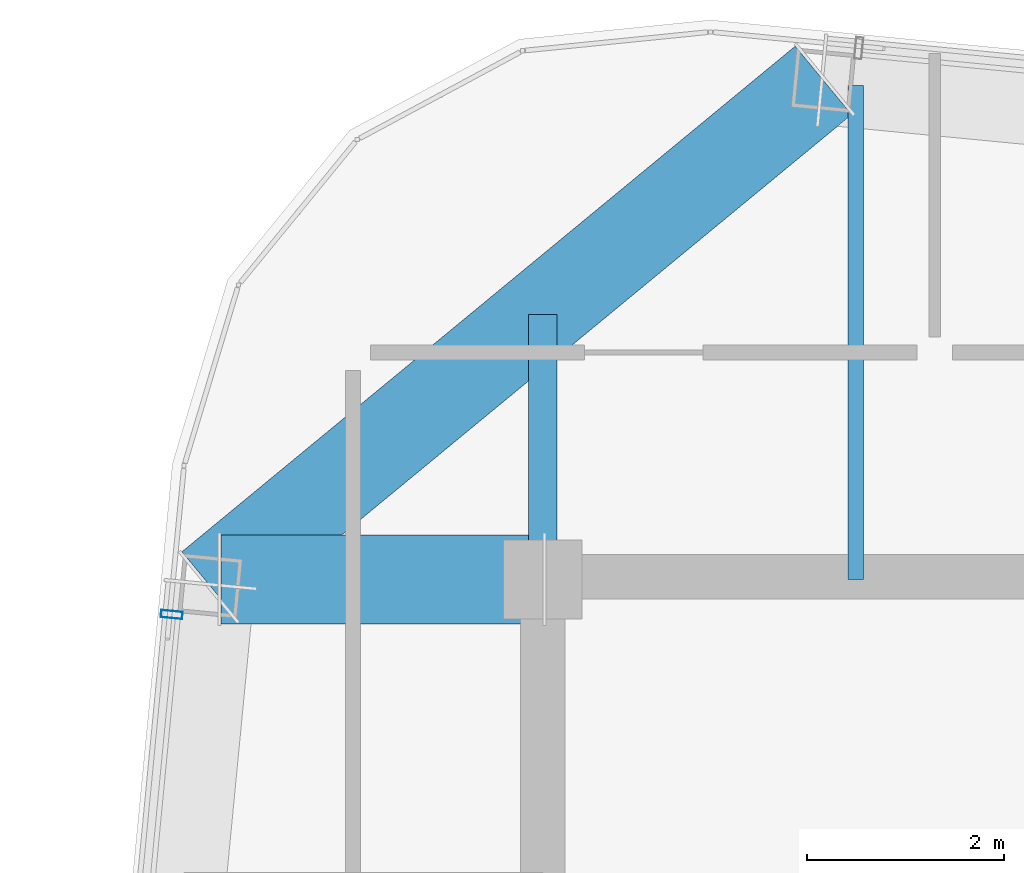
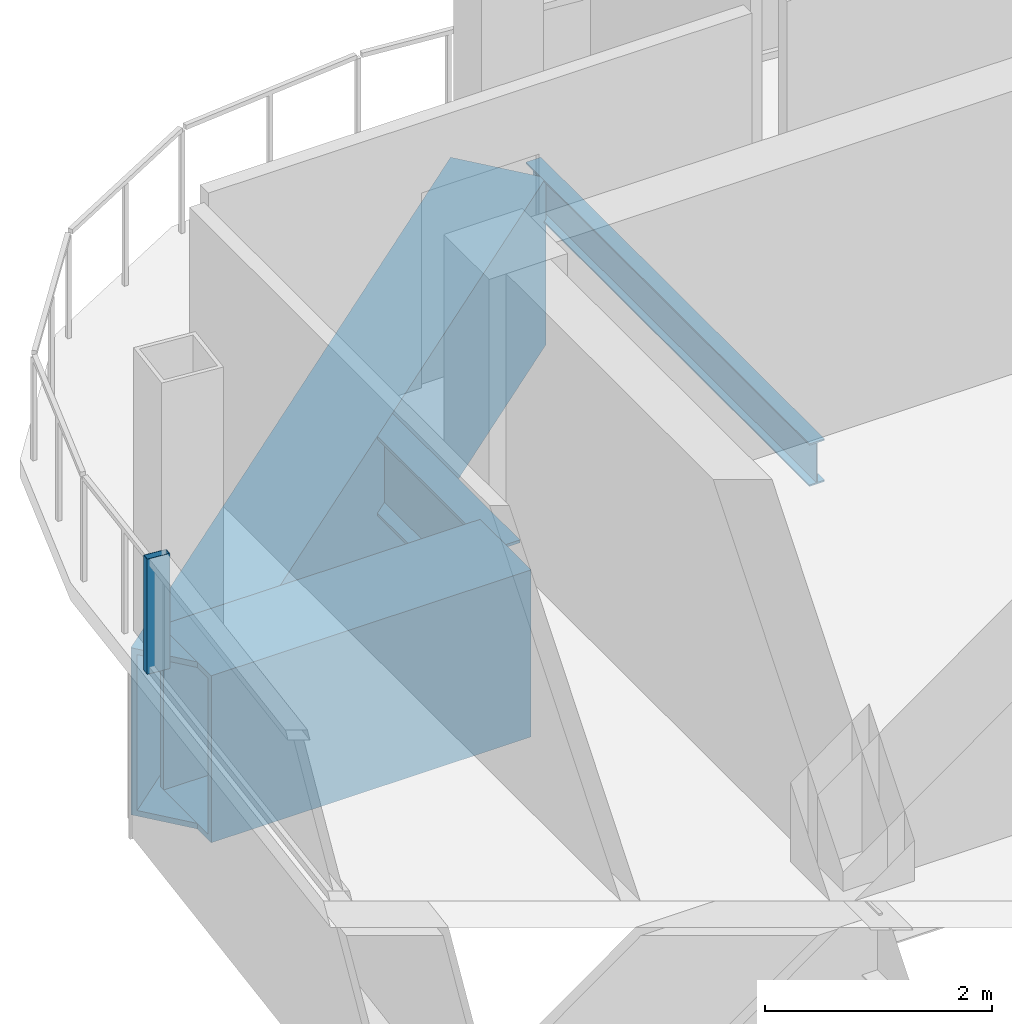
# One storey, part 12 of 21: 4 beams, 1 member, 1 element without a shape of its own.
"""IFC4 building model written with IfcOpenShell, lengths in metres."""

from ifc_helpers import new_model, si_unit, direction, frame, origin, origin_2d, place, context, subcontext, project, spatial, hollow_rectangle, i_section, extrude, material, layer, layer_set, material_profile, profile_set, type_object, element, aggregate, save


model = new_model("IFC4")

# Units and contexts
model_context = context("Model", 3, precision=1e-05, world=origin(), true_north=direction((0.0, 1.0)))
body_context = subcontext(model_context, "Body", "Model", "MODEL_VIEW")
ifc_project = project(units=[si_unit("LENGTHUNIT", "METRE"), si_unit("AREAUNIT", "SQUARE_METRE"), si_unit("VOLUMEUNIT", "CUBIC_METRE"), si_unit("PLANEANGLEUNIT", "RADIAN"), si_unit("MASSUNIT", "GRAM", prefix="KILO")], contexts=[model_context])

# Site, building, storey
site_placement = place(None, origin())
site = spatial("IfcSite", under=ifc_project, at=site_placement, CompositionType="ELEMENT")
building_placement = place(site_placement, origin())
building = spatial("IfcBuilding", under=site, at=building_placement, Name="Qhalaya Broadcast Tower", CompositionType="ELEMENT")
storey_placement = place(building_placement, frame((0.0, 0.0, 270.300048828125)))
storey = spatial("IfcBuildingStorey", under=building, at=storey_placement, Name="L80", CompositionType="ELEMENT", Elevation=270.300048828125)

# Beams
ifc_material_1 = material(Name="Structural Steel ASTM A572 Grade 50", Category="steel")
ifc_material_profile_1 = material_profile(ifc_material_1, hollow_rectangle(XDim=0.89990234375, YDim=1.800048828125, WallThickness=0.06005859375, at=origin_2d()), Name="BOX 900x1800x60")
ifc_profile_set_1 = profile_set([ifc_material_profile_1], Name="Structural Steel ASTM A572 Grade 50")
beam_type_1 = type_object("IfcBeamType", Name="Block Cantilever Transfer Box Girder TG1", PredefinedType="USERDEFINED", material=ifc_profile_set_1)
beam_1_placement = place(storey_placement, frame((-6.5283203125, 15.010498046875, -1.090087890625), z_axis=(-0.771631160126, -0.636070241972, 0.0), x_axis=(0.636070241972, -0.771631160126, 0.0)))
element("IfcBeam", 1, at=beam_1_placement, inside=storey, type_object=beam_type_1, Name="L80 TG1 L80-SPR-12", ObjectType="GIRDER", PredefinedType="USERDEFINED", context=body_context, shape_type="SweptSolid", body=[
    extrude(hollow_rectangle(XDim=0.89990234375, YDim=1.800048828125, WallThickness=0.06005859375, at=origin_2d()), origin(), (0.0, 0.0, 1.0), 8.06103515625),
])
beam_2_placement = place(storey_placement, frame((-12.6357421875, 9.949951171875, -1.090087890625), z_axis=(1.0, 0.0, 0.0), x_axis=(0.0, 1.0, 0.0)))
element("IfcBeam", 2, at=beam_2_placement, inside=storey, type_object=beam_type_1, Name="L80 TG1 L80-PGYW4-1", ObjectType="GIRDER", PredefinedType="USERDEFINED", context=body_context, shape_type="SweptSolid", body=[
    extrude(hollow_rectangle(XDim=0.89990234375, YDim=1.800048828125, WallThickness=0.06005859375, at=origin_2d()), origin(), (0.0, 0.0, 1.0), 3.2607421875),
])
ifc_material_2 = material(Name="Structural Steel ASTM A992 Grade 50", Category="steel")
ifc_material_profile_2 = material_profile(ifc_material_2, i_section(OverallWidth=0.154052734375, OverallDepth=0.458984375, WebThickness=0.009033203125, FlangeThickness=0.015380859375, at=origin_2d()), Name="W18X46")
ifc_profile_set_2 = profile_set([ifc_material_profile_2], Name="Structural Steel ASTM A992 Grade 50")
beam_type_2 = type_object("IfcBeamType", Name="Composite Floor Joist J04", PredefinedType="JOIST", material=ifc_profile_set_2)
beam_3_placement = place(storey_placement, frame((-6.199951171875, 9.949951171875, -0.41943359375), z_axis=(0.0, 1.0, 0.0), x_axis=(-1.0, 0.0, 0.0)))
element("IfcBeam", 3, at=beam_3_placement, inside=storey, type_object=beam_type_2, Name="L80 J04 L80-JNN1-1", PredefinedType="JOIST", context=body_context, shape_type="SweptSolid", body=[
    extrude(i_section(OverallWidth=0.154052734375, OverallDepth=0.458984375, WebThickness=0.009033203125, FlangeThickness=0.015380859375, at=origin_2d()), origin(), (0.0, 0.0, 1.0), 5.0087890625),
])

# Curtain wall, member
ifc_material_3 = material(Name="Fired Architectural Terracotta", Category="masonry")
ifc_layer = layer(ifc_material_3, 0.219970703125, Name="Fired Architectural Terracotta")
ifc_layer_set = layer_set([ifc_layer], Name="Fired Architectural Terracotta")
curtain_wall_type = type_object("IfcCurtainWallType", Name="Block-Cap Unitised Terracotta Spandrel Wall CW-07", PredefinedType="NOTDEFINED", material=ifc_layer_set)
curtain_wall_placement = place(storey_placement, origin())
curtain_wall = element("IfcCurtainWall", 4, at=curtain_wall_placement, inside=storey, type_object=curtain_wall_type, Name="L80 Unitised Curtain Wall L80-CW-W", PredefinedType="NOTDEFINED")
ifc_material_4 = material(Name="Anodised Aluminium 6063-T6", Category="aluminium")
ifc_material_profile_3 = material_profile(ifc_material_4, hollow_rectangle(XDim=0.074951171875, YDim=0.219970703125, WallThickness=0.00390625, at=origin_2d()), Name="ALU-MUL 75x220x4")
ifc_profile_set_3 = profile_set([ifc_material_profile_3], Name="Anodised Aluminium 6063-T6")
member_type = type_object("IfcMemberType", Name="Unitised Curtain-Wall Mullion M01", PredefinedType="MULLION", material=ifc_profile_set_3)
member_placement = place(storey_placement, frame((-13.137939453125, 9.593505859375, 0.0), z_axis=(0.0, 0.0, 1.0), x_axis=(0.095847800651, 0.995396001153, 0.0)))
member = element("IfcMember", 5, at=member_placement, type_object=member_type, Name="CW-07 mullion 4", PredefinedType="MULLION", context=body_context, shape_type="SweptSolid", body=[
    extrude(hollow_rectangle(XDim=0.074951171875, YDim=0.219970703125, WallThickness=0.00390625, at=origin_2d()), origin(), (0.0, 0.0, 1.0), 1.239990234375),
])
aggregate(curtain_wall, [member])

# Beam
ifc_material_profile_4 = material_profile(ifc_material_2, i_section(OverallWidth=0.2919921875, OverallDepth=0.85888671875, WebThickness=0.01708984375, FlangeThickness=0.031005859375, at=origin_2d()), Name="W33X169")
ifc_profile_set_4 = profile_set([ifc_material_profile_4], Name="Structural Steel ASTM A992 Grade 50")
beam_type_3 = type_object("IfcBeamType", Name="Upper Block Primary Girder PG4", PredefinedType="USERDEFINED", material=ifc_profile_set_4)
beam_4_placement = place(storey_placement, frame((-9.375, 9.949951171875, -0.61962890625), z_axis=(0.0, 1.0, 0.0), x_axis=(-1.0, 0.0, 0.0)))
element("IfcBeam", 6, at=beam_4_placement, inside=storey, type_object=beam_type_3, Name="L80 PG4 L80-PGXN1-1", ObjectType="GIRDER", PredefinedType="USERDEFINED", context=body_context, shape_type="SweptSolid", body=[
    extrude(i_section(OverallWidth=0.2919921875, OverallDepth=0.85888671875, WebThickness=0.01708984375, FlangeThickness=0.031005859375, at=origin_2d()), origin(), (0.0, 0.0, 1.0), 2.68798828125),
])

save(model, "model.ifc")
